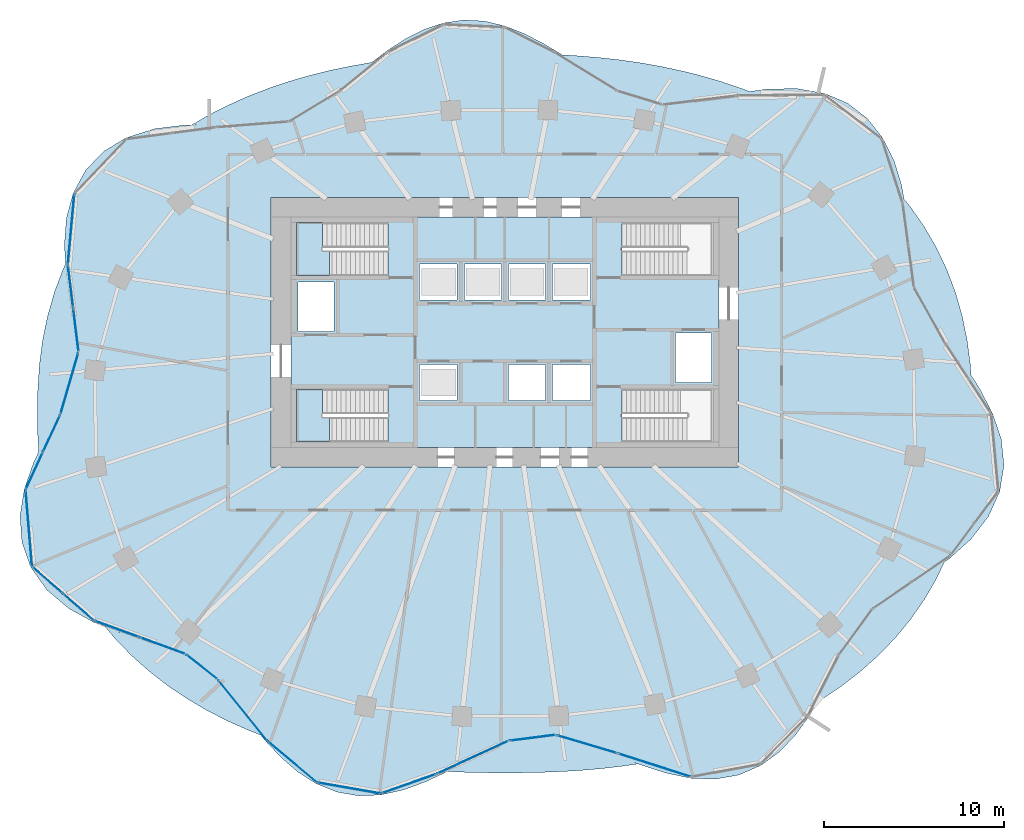
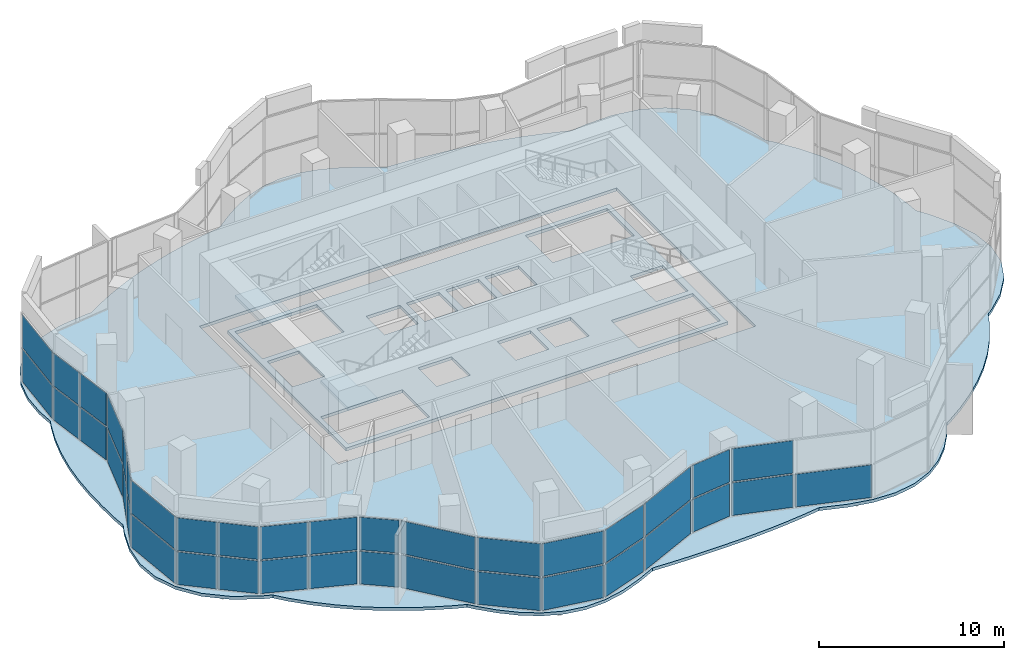
# One storey, part 9 of 16: 39 plates, 4 slabs, 18 elements without a shape of their own.
"""IFC4 building model written with IfcOpenShell, lengths in metres."""

from ifc_helpers import new_model, si_unit, direction, frame, origin, origin_2d, place, context, subcontext, project, spatial, polyline, rectangle, outline, extrude, material, layer, layer_set, type_object, element, aggregate, save


model = new_model("IFC4")

# Units and contexts
model_context = context("Model", 3, precision=1e-05, world=origin(), true_north=direction((0.0, 1.0)))
body_context = subcontext(model_context, "Body", "Model", "MODEL_VIEW")
ifc_project = project(units=[si_unit("LENGTHUNIT", "METRE"), si_unit("AREAUNIT", "SQUARE_METRE"), si_unit("VOLUMEUNIT", "CUBIC_METRE"), si_unit("PLANEANGLEUNIT", "RADIAN"), si_unit("MASSUNIT", "GRAM", prefix="KILO")], contexts=[model_context])

# Site, building, storey
site_placement = place(None, origin())
site = spatial("IfcSite", under=ifc_project, at=site_placement, CompositionType="ELEMENT")
building_placement = place(site_placement, origin())
building = spatial("IfcBuilding", under=site, at=building_placement, Name="Rubra Terraces Tower", CompositionType="ELEMENT")
storey_placement = place(building_placement, frame((0.0, 0.0, 125.699951171875)))
storey = spatial("IfcBuildingStorey", under=building, at=storey_placement, Name="L30", CompositionType="ELEMENT", Elevation=125.699951171875)

# Slab
ifc_material_1 = material(Name="Concrete C40", Category="concrete")
ifc_layer_1 = layer(ifc_material_1, 0.199951171875)
ifc_layer_set_1 = layer_set([ifc_layer_1], Name="Concrete C40")
slab_type_1 = type_object("IfcSlabType", Name="Core floor slab 200 concrete", PredefinedType="FLOOR", material=ifc_layer_set_1)
slab_1_placement = place(storey_placement, frame((0.0, 0.0, -0.199951171875)))
element("IfcSlab", 1, at=slab_1_placement, inside=storey, type_object=slab_type_1, Name="CORE FLOOR SLAB L30", PredefinedType="FLOOR", context=body_context, shape_type="SweptSolid", body=[
    extrude(outline(polyline([(-11.89990234375, -1.89990234375), (-11.89990234375, 10.89990234375), (11.89990234375, 10.89990234375), (11.89990234375, -1.89990234375), (-11.89990234375, -1.89990234375)]), holes=[polyline([(11.597900390625, -1.597900390625), (11.597900390625, 1.347900390625), (6.501953125, 1.347900390625), (6.501953125, -1.597900390625), (11.597900390625, -1.597900390625)]), polyline([(11.597900390625, 7.652099609375), (11.597900390625, 10.597900390625), (6.501953125, 10.597900390625), (6.501953125, 7.652099609375), (11.597900390625, 7.652099609375)]), polyline([(9.5, 1.699951171875), (11.5, 1.699951171875), (11.5, 4.449951171875), (9.5, 4.449951171875), (9.5, 1.699951171875)]), polyline([(4.75, 0.699951171875), (4.75, 2.699951171875), (2.64990234375, 2.699951171875), (2.64990234375, 0.699951171875), (4.75, 0.699951171875)]), polyline([(4.75, 6.300048828125), (4.75, 8.300048828125), (2.64990234375, 8.300048828125), (2.64990234375, 6.300048828125), (4.75, 6.300048828125)]), polyline([(2.25, 0.699951171875), (2.25, 2.699951171875), (0.199951171875, 2.699951171875), (0.199951171875, 0.699951171875), (2.25, 0.699951171875)]), polyline([(2.25, 6.300048828125), (2.25, 8.300048828125), (0.199951171875, 8.300048828125), (0.199951171875, 6.300048828125), (2.25, 6.300048828125)]), polyline([(-0.199951171875, 6.300048828125), (-0.199951171875, 8.300048828125), (-2.25, 8.300048828125), (-2.25, 6.300048828125), (-0.199951171875, 6.300048828125)]), polyline([(-2.64990234375, 0.699951171875), (-2.64990234375, 2.699951171875), (-4.75, 2.699951171875), (-4.75, 0.699951171875), (-2.64990234375, 0.699951171875)]), polyline([(-2.64990234375, 8.300048828125), (-4.75, 8.300048828125), (-4.75, 6.300048828125), (-2.64990234375, 6.300048828125), (-2.64990234375, 8.300048828125)]), polyline([(-11.597900390625, -1.597900390625), (-6.501953125, -1.597900390625), (-6.501953125, 1.347900390625), (-11.597900390625, 1.347900390625), (-11.597900390625, -1.597900390625)]), polyline([(-11.597900390625, 7.652099609375), (-6.501953125, 7.652099609375), (-6.501953125, 10.597900390625), (-11.597900390625, 10.597900390625), (-11.597900390625, 7.652099609375)]), polyline([(-9.5, 7.300048828125), (-11.5, 7.300048828125), (-11.5, 4.550048828125), (-9.5, 4.550048828125), (-9.5, 7.300048828125)])]), origin(), (0.0, 0.0, 1.0), 0.199951171875),
])

# Stair, slab
stair_type = type_object("IfcStairType", Name="Core stair 1400", PredefinedType="HALF_TURN_STAIR", material=ifc_material_1)
stair_1_placement = place(storey_placement, origin())
stair_1 = element("IfcStair", 2, at=stair_1_placement, inside=storey, type_object=stair_type, Name="L30 Exit stair S1", PredefinedType="HALF_TURN_STAIR")
ifc_layer_2 = layer(ifc_material_1, 0.199951171875)
ifc_layer_set_2 = layer_set([ifc_layer_2], Name="Concrete C40")
slab_type_2 = type_object("IfcSlabType", Name="Core stair landing 200", PredefinedType="LANDING", material=ifc_layer_set_2)
slab_2_placement = place(storey_placement, frame((0.0, 0.0, 2.199951171875)))
slab_2 = element("IfcSlab", 3, at=slab_2_placement, type_object=slab_type_2, Name="S1 landing 1", PredefinedType="LANDING", context=body_context, shape_type="SweptSolid", body=[
    extrude(outline(polyline([(-9.760009765625, -0.199951171875), (-9.760009765625, -1.60009765625), (-10.139892578125, -1.60009765625), (-10.159912109375, -1.60009765625), (-11.60009765625, -1.60009765625), (-11.60009765625, 1.35009765625), (-10.159912109375, 1.35009765625), (-10.137939453125, 1.35009765625), (-10.137939453125, -0.050048828125), (-10.139892578125, -0.050048828125), (-10.139892578125, -0.199951171875), (-9.760009765625, -0.199951171875)])), origin(), (0.0, 0.0, 1.0), 0.2001953125),
])
aggregate(stair_1, [slab_2])

stair_2_placement = place(storey_placement, origin())
stair_2 = element("IfcStair", 4, at=stair_2_placement, inside=storey, type_object=stair_type, Name="L30 Exit stair S2", PredefinedType="HALF_TURN_STAIR")
slab_3_placement = place(storey_placement, frame((0.0, 0.0, 2.199951171875)))
slab_3 = element("IfcSlab", 5, at=slab_3_placement, type_object=slab_type_2, Name="S2 landing 1", PredefinedType="LANDING", context=body_context, shape_type="SweptSolid", body=[
    extrude(outline(polyline([(-9.760009765625, 9.050048828125), (-9.760009765625, 7.64990234375), (-10.159912109375, 7.64990234375), (-11.60009765625, 7.64990234375), (-11.60009765625, 10.60009765625), (-10.159912109375, 10.60009765625), (-10.139892578125, 10.60009765625), (-10.137939453125, 10.60009765625), (-10.137939453125, 9.199951171875), (-10.139892578125, 9.199951171875), (-10.139892578125, 9.050048828125), (-9.760009765625, 9.050048828125)])), origin(), (0.0, 0.0, 1.0), 0.2001953125),
])
aggregate(stair_2, [slab_3])

# Slab
ifc_layer_3 = layer(ifc_material_1, 0.199951171875)
ifc_layer_set_3 = layer_set([ifc_layer_3], Name="Concrete C40")
slab_type_3 = type_object("IfcSlabType", Name="FLOOR SLAB 200 COMPOSITE", PredefinedType="FLOOR", material=ifc_layer_set_3)
slab_4_placement = place(storey_placement, frame((0.0, 0.0, -0.199951171875)))
element("IfcSlab", 6, at=slab_4_placement, inside=storey, type_object=slab_type_3, Name="FLOOR SLAB L30", PredefinedType="FLOOR", context=body_context, shape_type="SweptSolid", body=[
    extrude(outline(polyline([(26.39990234375, 1.382080078125), (25.926025390625, 2.113037109375), (25.885009765625, 2.720947265625), (25.70703125, 4.072021484375), (25.43408203125, 5.405029296875), (25.06005859375, 6.712890625), (24.5810546875, 7.987060546875), (24.001953125, 9.208984375), (23.322021484375, 10.37890625), (22.548095703125, 11.489013671875), (22.2041015625, 11.905029296875), (22.053955078125, 12.718994140625), (21.64404296875, 14.050048828125), (21.032958984375, 15.281982421875), (20.157958984375, 16.39111328125), (19.06201171875, 17.238037109375), (17.787109375, 17.787109375), (16.205078125, 18.05908203125), (14.56103515625, 18.02392578125), (13.59912109375, 17.89208984375), (13.131103515625, 18.073974609375), (12.007080078125, 18.451904296875), (10.866943359375, 18.782958984375), (9.716064453125, 19.068115234375), (8.612060546875, 19.299072265625), (7.501953125, 19.492919921875), (6.385009765625, 19.652099609375), (5.31201171875, 19.77294921875), (4.235107421875, 19.865966796875), (3.18994140625, 19.929931640625), (2.1240234375, 20.571044921875), (1.06689453125, 21.115966796875), (0.0, 21.537109375), (-1.136962890625, 21.80908203125), (-2.2880859375, 21.867919921875), (-3.43701171875, 21.697998046875), (-4.5048828125, 21.339111328125), (-5.5458984375, 20.81201171875), (-6.550048828125, 20.159912109375), (-7.468017578125, 19.468017578125), (-7.4189453125, 19.5048828125), (-7.501953125, 19.492919921875), (-8.612060546875, 19.299072265625), (-9.716064453125, 19.068115234375), (-10.866943359375, 18.782958984375), (-12.007080078125, 18.451904296875), (-13.131103515625, 18.073974609375), (-14.2939453125, 17.6220703125), (-15.43408203125, 17.113037109375), (-16.5439453125, 16.5439453125), (-17.406982421875, 16.0390625), (-16.06103515625, 16.06103515625), (-17.7470703125, 16.032958984375), (-19.4560546875, 15.825927734375), (-21.076904296875, 15.31298828125), (-22.318115234375, 14.55810546875), (-23.31494140625, 13.51611328125), (-24.011962890625, 12.235107421875), (-24.387939453125, 10.840087890625), (-24.4990234375, 9.3798828125), (-24.431884765625, 8.301025390625), (-24.5810546875, 7.987060546875), (-25.06005859375, 6.712890625), (-25.43408203125, 5.405029296875), (-25.70703125, 4.072021484375), (-25.885009765625, 2.720947265625), (-25.97705078125, 1.362060546875), (-26.0, 0.0), (-25.97705078125, -1.362060546875), (-25.925048828125, -2.135986328125), (-25.550048828125, -1.343017578125), (-26.214111328125, -2.748046875), (-26.72998046875, -4.23388671875), (-26.966064453125, -5.718017578125), (-26.85693359375, -7.18896484375), (-26.367919921875, -8.56689453125), (-25.468017578125, -9.8359375), (-24.2529296875, -10.863037109375), (-22.845947265625, -11.64111328125), (-21.23095703125, -12.264892578125), (-22.222900390625, -11.882080078125), (-21.697021484375, -12.51806640625), (-20.77001953125, -13.47802734375), (-19.77294921875, -14.365966796875), (-18.7451171875, -15.160888671875), (-17.666015625, -15.886962890625), (-16.5439453125, -16.5439453125), (-15.43408203125, -17.113037109375), (-14.2939453125, -17.6220703125), (-13.580078125, -17.89892578125), (-13.27392578125, -18.27001953125), (-12.424072265625, -19.1708984375), (-11.498046875, -19.965087890625), (-10.498046875, -20.60302734375), (-9.344970703125, -21.069091796875), (-8.137939453125, -21.279052734375), (-6.89892578125, -21.23291015625), (-5.633056640625, -20.951904296875), (-4.3798828125, -20.487060546875), (-3.19189453125, -19.929931640625), (-2.10498046875, -19.972900390625), (-1.052978515625, -19.9951171875), (0.0, -20.0), (1.052978515625, -19.9951171875), (2.10498046875, -19.972900390625), (3.156982421875, -19.931884765625), (4.235107421875, -19.865966796875), (5.31201171875, -19.77294921875), (6.385009765625, -19.652099609375), (7.419921875, -19.5048828125), (6.18310546875, -19.029052734375), (7.535888671875, -19.549072265625), (8.930908203125, -20.007080078125), (10.344970703125, -20.302978515625), (11.705078125, -20.35302734375), (13.013916015625, -20.12109375), (14.23388671875, -19.591064453125), (15.238037109375, -18.864990234375), (16.1259765625, -17.947021484375), (16.89501953125, -16.89501953125), (17.39697265625, -16.044921875), (17.666015625, -15.886962890625), (18.7451171875, -15.160888671875), (19.77294921875, -14.365966796875), (20.77001953125, -13.47802734375), (21.697021484375, -12.51806640625), (22.548095703125, -11.489013671875), (23.322021484375, -10.37890625), (24.001953125, -9.208984375), (24.44189453125, -8.280029296875), (24.77099609375, -8.048095703125), (25.94091796875, -6.986083984375), (26.89306640625, -5.7451171875), (27.52001953125, -4.35888671875), (27.758056640625, -2.89501953125), (27.60400390625, -1.422119140625), (27.116943359375, 0.0), (26.39990234375, 1.382080078125)]), holes=[polyline([(13.0, 12.0), (13.0, -3.0), (-13.0, -3.0), (-13.0, 12.0), (13.0, 12.0)])]), origin(), (0.0, 0.0, 1.0), 0.199951171875),
])

# Curtain wall, plates
ifc_material_2 = material(Name="Aluminium and glass", Category="aluminium")
curtain_wall_type = type_object("IfcCurtainWallType", Name="Curtain wall Sky lobby glazing", PredefinedType="NOTDEFINED", material=ifc_material_2)
curtain_wall_1_placement = place(storey_placement, origin())
curtain_wall_1 = element("IfcCurtainWall", 7, at=curtain_wall_1_placement, inside=storey, type_object=curtain_wall_type, Name="L30 glazing bay 18", PredefinedType="NOTDEFINED")
ifc_material_3 = material(Name="Clear glass, laminated", Category="glass")
ifc_layer_4 = layer(ifc_material_3, 0.031982421875)
ifc_layer_set_4 = layer_set([ifc_layer_4], Name="Clear glass, laminated")
plate_type = type_object("IfcPlateType", Name="Sky lobby glazing glass panel 32", PredefinedType="CURTAIN_PANEL", material=ifc_layer_set_4)
plate_1_placement = place(storey_placement, frame((-24.120849609375, 10.238525390625, 0.10009765625), z_axis=(0.0, 0.0, 1.0), x_axis=(-0.091862336867, -0.995771716341, 0.0)))
plate_1 = element("IfcPlate", 8, at=plate_1_placement, type_object=plate_type, Name="CW2 panel 1.1", PredefinedType="CURTAIN_PANEL", context=body_context, shape_type="SweptSolid", body=[
    extrude(rectangle(XDim=3.876220703125, YDim=0.028076171875, at=origin_2d()), origin(), (0.0, 0.0, 1.0), 2.14990234375),
])
plate_2_placement = place(storey_placement, frame((-24.120849609375, 10.238525390625, 2.35009765625), z_axis=(0.0, 0.0, 1.0), x_axis=(-0.091862336867, -0.995771716341, 0.0)))
plate_2 = element("IfcPlate", 9, at=plate_2_placement, type_object=plate_type, Name="CW2 panel 1.2", PredefinedType="CURTAIN_PANEL", context=body_context, shape_type="SweptSolid", body=[
    extrude(rectangle(XDim=3.876220703125, YDim=0.028076171875, at=origin_2d()), origin(), (0.0, 0.0, 1.0), 2.14990234375),
])
aggregate(curtain_wall_1, [plate_1, plate_2])

curtain_wall_2_placement = place(storey_placement, origin())
curtain_wall_2 = element("IfcCurtainWall", 10, at=curtain_wall_2_placement, inside=storey, type_object=curtain_wall_type, Name="L30 glazing bay 19", PredefinedType="NOTDEFINED")
plate_3_placement = place(storey_placement, frame((-24.15380859375, 7.041015625, 0.10009765625), z_axis=(0.0, 0.0, 1.0), x_axis=(0.122331884149, -0.992489249373, 0.0)))
plate_3 = element("IfcPlate", 11, at=plate_3_placement, type_object=plate_type, Name="CW2 panel 1.1", PredefinedType="CURTAIN_PANEL", context=body_context, shape_type="SweptSolid", body=[
    extrude(rectangle(XDim=2.345947265625, YDim=0.028076171875, at=origin_2d()), origin(), (0.0, 0.0, 1.0), 2.14990234375),
])
plate_4_placement = place(storey_placement, frame((-24.15380859375, 7.041015625, 2.35009765625), z_axis=(0.0, 0.0, 1.0), x_axis=(0.122331884149, -0.992489249373, 0.0)))
plate_4 = element("IfcPlate", 12, at=plate_4_placement, type_object=plate_type, Name="CW2 panel 1.2", PredefinedType="CURTAIN_PANEL", context=body_context, shape_type="SweptSolid", body=[
    extrude(rectangle(XDim=2.345947265625, YDim=0.028076171875, at=origin_2d()), origin(), (0.0, 0.0, 1.0), 2.14990234375),
])
plate_5_placement = place(storey_placement, frame((-23.859375, 4.653076171875, 0.10009765625), z_axis=(0.0, 0.0, 1.0), x_axis=(0.122331884149, -0.992489249373, 0.0)))
plate_5 = element("IfcPlate", 13, at=plate_5_placement, type_object=plate_type, Name="CW2 panel 2.1", PredefinedType="CURTAIN_PANEL", context=body_context, shape_type="SweptSolid", body=[
    extrude(rectangle(XDim=2.345947265625, YDim=0.028076171875, at=origin_2d()), origin(), (0.0, 0.0, 1.0), 2.14990234375),
])
plate_6_placement = place(storey_placement, frame((-23.859375, 4.653076171875, 2.35009765625), z_axis=(0.0, 0.0, 1.0), x_axis=(0.122331884149, -0.992489249373, 0.0)))
plate_6 = element("IfcPlate", 14, at=plate_6_placement, type_object=plate_type, Name="CW2 panel 2.2", PredefinedType="CURTAIN_PANEL", context=body_context, shape_type="SweptSolid", body=[
    extrude(rectangle(XDim=2.345947265625, YDim=0.028076171875, at=origin_2d()), origin(), (0.0, 0.0, 1.0), 2.14990234375),
])
aggregate(curtain_wall_2, [plate_3, plate_4, plate_5, plate_6])

curtain_wall_3_placement = place(storey_placement, origin())
curtain_wall_3 = element("IfcCurtainWall", 15, at=curtain_wall_3_placement, inside=storey, type_object=curtain_wall_type, Name="L30 glazing bay 20", PredefinedType="NOTDEFINED")
plate_7_placement = place(storey_placement, frame((-24.211181640625, 1.678466796875, 0.10009765625), z_axis=(0.0, 0.0, 1.0), x_axis=(-0.279120252368, -0.960256155782, 0.0)))
plate_7 = element("IfcPlate", 16, at=plate_7_placement, type_object=plate_type, Name="CW2 panel 1.1", PredefinedType="CURTAIN_PANEL", context=body_context, shape_type="SweptSolid", body=[
    extrude(rectangle(XDim=3.468505859375, YDim=0.028076171875, at=origin_2d()), origin(), (0.0, 0.0, 1.0), 2.14990234375),
])
plate_8_placement = place(storey_placement, frame((-24.211181640625, 1.678466796875, 2.35009765625), z_axis=(0.0, 0.0, 1.0), x_axis=(-0.279120252368, -0.960256155782, 0.0)))
plate_8 = element("IfcPlate", 17, at=plate_8_placement, type_object=plate_type, Name="CW2 panel 1.2", PredefinedType="CURTAIN_PANEL", context=body_context, shape_type="SweptSolid", body=[
    extrude(rectangle(XDim=3.468505859375, YDim=0.028076171875, at=origin_2d()), origin(), (0.0, 0.0, 1.0), 2.14990234375),
])
aggregate(curtain_wall_3, [plate_7, plate_8])

curtain_wall_4_placement = place(storey_placement, origin())
curtain_wall_4 = element("IfcCurtainWall", 18, at=curtain_wall_4_placement, inside=storey, type_object=curtain_wall_type, Name="L30 glazing bay 21", PredefinedType="NOTDEFINED")
plate_9_placement = place(storey_placement, frame((-25.208740234375, -1.121337890625, 0.10009765625), z_axis=(0.0, 0.0, 1.0), x_axis=(-0.419584709924, -0.907716184277, 0.0)))
plate_9 = element("IfcPlate", 19, at=plate_9_placement, type_object=plate_type, Name="CW2 panel 1.1", PredefinedType="CURTAIN_PANEL", context=body_context, shape_type="SweptSolid", body=[
    extrude(rectangle(XDim=2.22802734375, YDim=0.028076171875, at=origin_2d()), origin(), (0.0, 0.0, 1.0), 2.14990234375),
])
plate_10_placement = place(storey_placement, frame((-25.208740234375, -1.121337890625, 2.35009765625), z_axis=(0.0, 0.0, 1.0), x_axis=(-0.419584709924, -0.907716184277, 0.0)))
plate_10 = element("IfcPlate", 20, at=plate_10_placement, type_object=plate_type, Name="CW2 panel 1.2", PredefinedType="CURTAIN_PANEL", context=body_context, shape_type="SweptSolid", body=[
    extrude(rectangle(XDim=2.22802734375, YDim=0.028076171875, at=origin_2d()), origin(), (0.0, 0.0, 1.0), 2.14990234375),
])
plate_11_placement = place(storey_placement, frame((-26.168701171875, -3.1982421875, 0.10009765625), z_axis=(0.0, 0.0, 1.0), x_axis=(-0.419584709924, -0.907716184277, 0.0)))
plate_11 = element("IfcPlate", 21, at=plate_11_placement, type_object=plate_type, Name="CW2 panel 2.1", PredefinedType="CURTAIN_PANEL", context=body_context, shape_type="SweptSolid", body=[
    extrude(rectangle(XDim=2.22802734375, YDim=0.028076171875, at=origin_2d()), origin(), (0.0, 0.0, 1.0), 2.14990234375),
])
plate_12_placement = place(storey_placement, frame((-26.168701171875, -3.1982421875, 2.35009765625), z_axis=(0.0, 0.0, 1.0), x_axis=(-0.419584709924, -0.907716184277, 0.0)))
plate_12 = element("IfcPlate", 22, at=plate_12_placement, type_object=plate_type, Name="CW2 panel 2.2", PredefinedType="CURTAIN_PANEL", context=body_context, shape_type="SweptSolid", body=[
    extrude(rectangle(XDim=2.22802734375, YDim=0.028076171875, at=origin_2d()), origin(), (0.0, 0.0, 1.0), 2.14990234375),
])
aggregate(curtain_wall_4, [plate_9, plate_10, plate_11, plate_12])

curtain_wall_5_placement = place(storey_placement, origin())
curtain_wall_5 = element("IfcCurtainWall", 23, at=curtain_wall_5_placement, inside=storey, type_object=curtain_wall_type, Name="L30 glazing bay 22", PredefinedType="NOTDEFINED")
plate_13_placement = place(storey_placement, frame((-26.474365234375, -6.394287109375, 0.10009765625), z_axis=(0.0, 0.0, 1.0), x_axis=(0.083254844369, -0.996528289056, 0.0)))
plate_13 = element("IfcPlate", 24, at=plate_13_placement, type_object=plate_type, Name="CW2 panel 1.1", PredefinedType="CURTAIN_PANEL", context=body_context, shape_type="SweptSolid", body=[
    extrude(rectangle(XDim=4.22802734375, YDim=0.028076171875, at=origin_2d()), origin(), (0.0, 0.0, 1.0), 2.14990234375),
])
plate_14_placement = place(storey_placement, frame((-26.474365234375, -6.394287109375, 2.35009765625), z_axis=(0.0, 0.0, 1.0), x_axis=(0.083254844369, -0.996528289056, 0.0)))
plate_14 = element("IfcPlate", 25, at=plate_14_placement, type_object=plate_type, Name="CW2 panel 1.2", PredefinedType="CURTAIN_PANEL", context=body_context, shape_type="SweptSolid", body=[
    extrude(rectangle(XDim=4.22802734375, YDim=0.028076171875, at=origin_2d()), origin(), (0.0, 0.0, 1.0), 2.14990234375),
])
aggregate(curtain_wall_5, [plate_13, plate_14])

curtain_wall_6_placement = place(storey_placement, origin())
curtain_wall_6 = element("IfcCurtainWall", 26, at=curtain_wall_6_placement, inside=storey, type_object=curtain_wall_type, Name="L30 glazing bay 23", PredefinedType="NOTDEFINED")
plate_15_placement = place(storey_placement, frame((-25.439697265625, -9.27783203125, 0.10009765625), z_axis=(0.0, 0.0, 1.0), x_axis=(0.753396308183, -0.657566728794, 0.0)))
plate_15 = element("IfcPlate", 27, at=plate_15_placement, type_object=plate_type, Name="CW2 panel 1.1", PredefinedType="CURTAIN_PANEL", context=body_context, shape_type="SweptSolid", body=[
    extrude(rectangle(XDim=2.213623046875, YDim=0.028076171875, at=origin_2d()), origin(), (0.0, 0.0, 1.0), 2.14990234375),
])
plate_16_placement = place(storey_placement, frame((-25.439697265625, -9.27783203125, 2.35009765625), z_axis=(0.0, 0.0, 1.0), x_axis=(0.753396308183, -0.657566728794, 0.0)))
plate_16 = element("IfcPlate", 28, at=plate_16_placement, type_object=plate_type, Name="CW2 panel 1.2", PredefinedType="CURTAIN_PANEL", context=body_context, shape_type="SweptSolid", body=[
    extrude(rectangle(XDim=2.213623046875, YDim=0.028076171875, at=origin_2d()), origin(), (0.0, 0.0, 1.0), 2.14990234375),
])
plate_17_placement = place(storey_placement, frame((-23.726806640625, -10.772705078125, 0.10009765625), z_axis=(0.0, 0.0, 1.0), x_axis=(0.753396308183, -0.657566728794, 0.0)))
plate_17 = element("IfcPlate", 29, at=plate_17_placement, type_object=plate_type, Name="CW2 panel 2.1", PredefinedType="CURTAIN_PANEL", context=body_context, shape_type="SweptSolid", body=[
    extrude(rectangle(XDim=2.213623046875, YDim=0.028076171875, at=origin_2d()), origin(), (0.0, 0.0, 1.0), 2.14990234375),
])
plate_18_placement = place(storey_placement, frame((-23.726806640625, -10.772705078125, 2.35009765625), z_axis=(0.0, 0.0, 1.0), x_axis=(0.753396308183, -0.657566728794, 0.0)))
plate_18 = element("IfcPlate", 30, at=plate_18_placement, type_object=plate_type, Name="CW2 panel 2.2", PredefinedType="CURTAIN_PANEL", context=body_context, shape_type="SweptSolid", body=[
    extrude(rectangle(XDim=2.213623046875, YDim=0.028076171875, at=origin_2d()), origin(), (0.0, 0.0, 1.0), 2.14990234375),
])
aggregate(curtain_wall_6, [plate_15, plate_16, plate_17, plate_18])

curtain_wall_7_placement = place(storey_placement, origin())
curtain_wall_7 = element("IfcCurtainWall", 31, at=curtain_wall_7_placement, inside=storey, type_object=curtain_wall_type, Name="L30 glazing bay 24", PredefinedType="NOTDEFINED")
plate_19_placement = place(storey_placement, frame((-21.5830078125, -11.996826171875, 0.10009765625), z_axis=(0.0, 0.0, 1.0), x_axis=(0.939254756437, -0.343220778086, 0.0)))
plate_19 = element("IfcPlate", 32, at=plate_19_placement, type_object=plate_type, Name="CW2 panel 1.1", PredefinedType="CURTAIN_PANEL", context=body_context, shape_type="SweptSolid", body=[
    extrude(rectangle(XDim=2.623291015625, YDim=0.028076171875, at=origin_2d()), origin(), (0.0, 0.0, 1.0), 2.14990234375),
])
plate_20_placement = place(storey_placement, frame((-21.5830078125, -11.996826171875, 2.35009765625), z_axis=(0.0, 0.0, 1.0), x_axis=(0.939254756437, -0.343220778086, 0.0)))
plate_20 = element("IfcPlate", 33, at=plate_20_placement, type_object=plate_type, Name="CW2 panel 1.2", PredefinedType="CURTAIN_PANEL", context=body_context, shape_type="SweptSolid", body=[
    extrude(rectangle(XDim=2.623291015625, YDim=0.028076171875, at=origin_2d()), origin(), (0.0, 0.0, 1.0), 2.14990234375),
])
plate_21_placement = place(storey_placement, frame((-19.0625, -12.917724609375, 0.10009765625), z_axis=(0.0, 0.0, 1.0), x_axis=(0.939254756437, -0.343220778086, 0.0)))
plate_21 = element("IfcPlate", 34, at=plate_21_placement, type_object=plate_type, Name="CW2 panel 2.1", PredefinedType="CURTAIN_PANEL", context=body_context, shape_type="SweptSolid", body=[
    extrude(rectangle(XDim=2.623291015625, YDim=0.028076171875, at=origin_2d()), origin(), (0.0, 0.0, 1.0), 2.14990234375),
])
plate_22_placement = place(storey_placement, frame((-19.0625, -12.917724609375, 2.35009765625), z_axis=(0.0, 0.0, 1.0), x_axis=(0.939254756437, -0.343220778086, 0.0)))
plate_22 = element("IfcPlate", 35, at=plate_22_placement, type_object=plate_type, Name="CW2 panel 2.2", PredefinedType="CURTAIN_PANEL", context=body_context, shape_type="SweptSolid", body=[
    extrude(rectangle(XDim=2.623291015625, YDim=0.028076171875, at=origin_2d()), origin(), (0.0, 0.0, 1.0), 2.14990234375),
])
aggregate(curtain_wall_7, [plate_19, plate_20, plate_21, plate_22])

curtain_wall_8_placement = place(storey_placement, origin())
curtain_wall_8 = element("IfcCurtainWall", 36, at=curtain_wall_8_placement, inside=storey, type_object=curtain_wall_type, Name="L30 glazing bay 25", PredefinedType="NOTDEFINED")
plate_23_placement = place(storey_placement, frame((-16.866455078125, -14.09912109375, 0.10009765625), z_axis=(0.0, 0.0, 1.0), x_axis=(0.7854864545, -0.618878849046, 0.0)))
plate_23 = element("IfcPlate", 37, at=plate_23_placement, type_object=plate_type, Name="CW2 panel 1.1", PredefinedType="CURTAIN_PANEL", context=body_context, shape_type="SweptSolid", body=[
    extrude(rectangle(XDim=2.138671875, YDim=0.028076171875, at=origin_2d()), origin(), (0.0, 0.0, 1.0), 2.14990234375),
])
plate_24_placement = place(storey_placement, frame((-16.866455078125, -14.09912109375, 2.35009765625), z_axis=(0.0, 0.0, 1.0), x_axis=(0.7854864545, -0.618878849046, 0.0)))
plate_24 = element("IfcPlate", 38, at=plate_24_placement, type_object=plate_type, Name="CW2 panel 1.2", PredefinedType="CURTAIN_PANEL", context=body_context, shape_type="SweptSolid", body=[
    extrude(rectangle(XDim=2.138671875, YDim=0.028076171875, at=origin_2d()), origin(), (0.0, 0.0, 1.0), 2.14990234375),
])
aggregate(curtain_wall_8, [plate_23, plate_24])

curtain_wall_9_placement = place(storey_placement, origin())
curtain_wall_9 = element("IfcCurtainWall", 39, at=curtain_wall_9_placement, inside=storey, type_object=curtain_wall_type, Name="L30 glazing bay 26", PredefinedType="NOTDEFINED")
plate_25_placement = place(storey_placement, frame((-14.584716796875, -16.52197265625, 0.10009765625), z_axis=(0.0, 0.0, 1.0), x_axis=(0.628251436836, -0.778010367613, 0.0)))
plate_25 = element("IfcPlate", 40, at=plate_25_placement, type_object=plate_type, Name="CW2 panel 1.1", PredefinedType="CURTAIN_PANEL", context=body_context, shape_type="SweptSolid", body=[
    extrude(rectangle(XDim=4.28173828125, YDim=0.028076171875, at=origin_2d()), origin(), (0.0, 0.0, 1.0), 2.14990234375),
])
plate_26_placement = place(storey_placement, frame((-14.584716796875, -16.52197265625, 2.35009765625), z_axis=(0.0, 0.0, 1.0), x_axis=(0.628251436836, -0.778010367613, 0.0)))
plate_26 = element("IfcPlate", 41, at=plate_26_placement, type_object=plate_type, Name="CW2 panel 1.2", PredefinedType="CURTAIN_PANEL", context=body_context, shape_type="SweptSolid", body=[
    extrude(rectangle(XDim=4.28173828125, YDim=0.028076171875, at=origin_2d()), origin(), (0.0, 0.0, 1.0), 2.14990234375),
])
aggregate(curtain_wall_9, [plate_25, plate_26])

curtain_wall_10_placement = place(storey_placement, origin())
curtain_wall_10 = element("IfcCurtainWall", 42, at=curtain_wall_10_placement, inside=storey, type_object=curtain_wall_type, Name="L30 glazing bay 27", PredefinedType="NOTDEFINED")
plate_27_placement = place(storey_placement, frame((-11.8310546875, -19.384765625, 0.10009765625), z_axis=(0.0, 0.0, 1.0), x_axis=(0.765554713501, -0.643370795604, 0.0)))
plate_27 = element("IfcPlate", 43, at=plate_27_placement, type_object=plate_type, Name="CW2 panel 1.1", PredefinedType="CURTAIN_PANEL", context=body_context, shape_type="SweptSolid", body=[
    extrude(rectangle(XDim=3.488525390625, YDim=0.028076171875, at=origin_2d()), origin(), (0.0, 0.0, 1.0), 2.14990234375),
])
plate_28_placement = place(storey_placement, frame((-11.8310546875, -19.384765625, 2.35009765625), z_axis=(0.0, 0.0, 1.0), x_axis=(0.765554713501, -0.643370795604, 0.0)))
plate_28 = element("IfcPlate", 44, at=plate_28_placement, type_object=plate_type, Name="CW2 panel 1.2", PredefinedType="CURTAIN_PANEL", context=body_context, shape_type="SweptSolid", body=[
    extrude(rectangle(XDim=3.488525390625, YDim=0.028076171875, at=origin_2d()), origin(), (0.0, 0.0, 1.0), 2.14990234375),
])
aggregate(curtain_wall_10, [plate_27, plate_28])

curtain_wall_11_placement = place(storey_placement, origin())
curtain_wall_11 = element("IfcCurtainWall", 45, at=curtain_wall_11_placement, inside=storey, type_object=curtain_wall_type, Name="L30 glazing bay 28", PredefinedType="NOTDEFINED")
plate_29_placement = place(storey_placement, frame((-8.685546875, -20.843994140625, 0.10009765625), z_axis=(0.0, 0.0, 1.0), x_axis=(0.985022333268, -0.172426804653, 0.0)))
plate_29 = element("IfcPlate", 46, at=plate_29_placement, type_object=plate_type, Name="CW2 panel 1.1", PredefinedType="CURTAIN_PANEL", context=body_context, shape_type="SweptSolid", body=[
    extrude(rectangle(XDim=3.53369140625, YDim=0.028076171875, at=origin_2d()), origin(), (0.0, 0.0, 1.0), 2.14990234375),
])
plate_30_placement = place(storey_placement, frame((-8.685546875, -20.843994140625, 2.35009765625), z_axis=(0.0, 0.0, 1.0), x_axis=(0.985022333268, -0.172426804653, 0.0)))
plate_30 = element("IfcPlate", 47, at=plate_30_placement, type_object=plate_type, Name="CW2 panel 1.2", PredefinedType="CURTAIN_PANEL", context=body_context, shape_type="SweptSolid", body=[
    extrude(rectangle(XDim=3.53369140625, YDim=0.028076171875, at=origin_2d()), origin(), (0.0, 0.0, 1.0), 2.14990234375),
])
aggregate(curtain_wall_11, [plate_29, plate_30])

curtain_wall_12_placement = place(storey_placement, origin())
curtain_wall_12 = element("IfcCurtainWall", 48, at=curtain_wall_12_placement, inside=storey, type_object=curtain_wall_type, Name="L30 glazing bay 29", PredefinedType="NOTDEFINED")
plate_31_placement = place(storey_placement, frame((-5.36669921875, -20.613037109375, 0.10009765625), z_axis=(0.0, 0.0, 1.0), x_axis=(0.943047339736, 0.332658556205, 0.0)))
plate_31 = element("IfcPlate", 49, at=plate_31_placement, type_object=plate_type, Name="CW2 panel 1.1", PredefinedType="CURTAIN_PANEL", context=body_context, shape_type="SweptSolid", body=[
    extrude(rectangle(XDim=3.182373046875, YDim=0.028076171875, at=origin_2d()), origin(), (0.0, 0.0, 1.0), 2.14990234375),
])
plate_32_placement = place(storey_placement, frame((-5.36669921875, -20.613037109375, 2.35009765625), z_axis=(0.0, 0.0, 1.0), x_axis=(0.943047339736, 0.332658556205, 0.0)))
plate_32 = element("IfcPlate", 50, at=plate_32_placement, type_object=plate_type, Name="CW2 panel 1.2", PredefinedType="CURTAIN_PANEL", context=body_context, shape_type="SweptSolid", body=[
    extrude(rectangle(XDim=3.182373046875, YDim=0.028076171875, at=origin_2d()), origin(), (0.0, 0.0, 1.0), 2.14990234375),
])
aggregate(curtain_wall_12, [plate_31, plate_32])

curtain_wall_13_placement = place(storey_placement, origin())
curtain_wall_13 = element("IfcCurtainWall", 51, at=curtain_wall_13_placement, inside=storey, type_object=curtain_wall_type, Name="L30 glazing bay 30", PredefinedType="NOTDEFINED")
plate_33_placement = place(storey_placement, frame((-1.81396484375, -19.146484375, 0.10009765625), z_axis=(0.0, 0.0, 1.0), x_axis=(0.908687314634, 0.41747738169, 0.0)))
plate_33 = element("IfcPlate", 52, at=plate_33_placement, type_object=plate_type, Name="CW2 panel 1.1", PredefinedType="CURTAIN_PANEL", context=body_context, shape_type="SweptSolid", body=[
    extrude(rectangle(XDim=4.286376953125, YDim=0.028076171875, at=origin_2d()), origin(), (0.0, 0.0, 1.0), 2.14990234375),
])
plate_34_placement = place(storey_placement, frame((-1.81396484375, -19.146484375, 2.35009765625), z_axis=(0.0, 0.0, 1.0), x_axis=(0.908687314634, 0.41747738169, 0.0)))
plate_34 = element("IfcPlate", 53, at=plate_34_placement, type_object=plate_type, Name="CW2 panel 1.2", PredefinedType="CURTAIN_PANEL", context=body_context, shape_type="SweptSolid", body=[
    extrude(rectangle(XDim=4.286376953125, YDim=0.028076171875, at=origin_2d()), origin(), (0.0, 0.0, 1.0), 2.14990234375),
])
aggregate(curtain_wall_13, [plate_33, plate_34])

curtain_wall_14_placement = place(storey_placement, origin())
curtain_wall_14 = element("IfcCurtainWall", 54, at=curtain_wall_14_placement, inside=storey, type_object=curtain_wall_type, Name="L30 glazing bay 31", PredefinedType="NOTDEFINED")
plate_35_placement = place(storey_placement, frame((1.508056640625, -18.05615234375, 0.10009765625), z_axis=(0.0, 0.0, 1.0), x_axis=(0.9920784695, 0.125619705276, 0.0)))
plate_35 = element("IfcPlate", 55, at=plate_35_placement, type_object=plate_type, Name="CW2 panel 1.1", PredefinedType="CURTAIN_PANEL", context=body_context, shape_type="SweptSolid", body=[
    extrude(rectangle(XDim=2.49658203125, YDim=0.028076171875, at=origin_2d()), origin(), (0.0, 0.0, 1.0), 2.14990234375),
])
plate_36_placement = place(storey_placement, frame((1.508056640625, -18.05615234375, 2.35009765625), z_axis=(0.0, 0.0, 1.0), x_axis=(0.9920784695, 0.125619705276, 0.0)))
plate_36 = element("IfcPlate", 56, at=plate_36_placement, type_object=plate_type, Name="CW2 panel 1.2", PredefinedType="CURTAIN_PANEL", context=body_context, shape_type="SweptSolid", body=[
    extrude(rectangle(XDim=2.49658203125, YDim=0.028076171875, at=origin_2d()), origin(), (0.0, 0.0, 1.0), 2.14990234375),
])
aggregate(curtain_wall_14, [plate_35, plate_36])

curtain_wall_15_placement = place(storey_placement, origin())
curtain_wall_15 = element("IfcCurtainWall", 57, at=curtain_wall_15_placement, inside=storey, type_object=curtain_wall_type, Name="L30 glazing bay 32", PredefinedType="NOTDEFINED")
plate_37_placement = place(storey_placement, frame((4.527099609375, -18.397705078125, 0.10009765625), z_axis=(0.0, 0.0, 1.0), x_axis=(0.95840365686, -0.285416240809, 0.0)))
plate_37 = element("IfcPlate", 58, at=plate_37_placement, type_object=plate_type, Name="CW2 panel 1.1", PredefinedType="CURTAIN_PANEL", context=body_context, shape_type="SweptSolid", body=[
    extrude(rectangle(XDim=3.409912109375, YDim=0.028076171875, at=origin_2d()), origin(), (0.0, 0.0, 1.0), 2.14990234375),
])
plate_38_placement = place(storey_placement, frame((4.527099609375, -18.397705078125, 2.35009765625), z_axis=(0.0, 0.0, 1.0), x_axis=(0.95840365686, -0.285416240809, 0.0)))
plate_38 = element("IfcPlate", 59, at=plate_38_placement, type_object=plate_type, Name="CW2 panel 1.2", PredefinedType="CURTAIN_PANEL", context=body_context, shape_type="SweptSolid", body=[
    extrude(rectangle(XDim=3.409912109375, YDim=0.028076171875, at=origin_2d()), origin(), (0.0, 0.0, 1.0), 2.14990234375),
])
aggregate(curtain_wall_15, [plate_37, plate_38])

# Curtain wall, plate
curtain_wall_16_placement = place(storey_placement, origin())
curtain_wall_16 = element("IfcCurtainWall", 60, at=curtain_wall_16_placement, inside=storey, type_object=curtain_wall_type, Name="L30 glazing bay 33", PredefinedType="NOTDEFINED")
plate_39_placement = place(storey_placement, frame((8.293701171875, -19.566650390625, 0.10009765625), z_axis=(0.0, 0.0, 1.0), x_axis=(0.952262688935, -0.305279824524, 0.0)))
plate_39 = element("IfcPlate", 61, at=plate_39_placement, type_object=plate_type, Name="CW2 panel 1.1", PredefinedType="CURTAIN_PANEL", context=body_context, shape_type="SweptSolid", body=[
    extrude(rectangle(XDim=4.234375, YDim=0.028076171875, at=origin_2d()), origin(), (0.0, 0.0, 1.0), 2.14990234375),
])
aggregate(curtain_wall_16, [plate_39])

save(model, "model.ifc")
